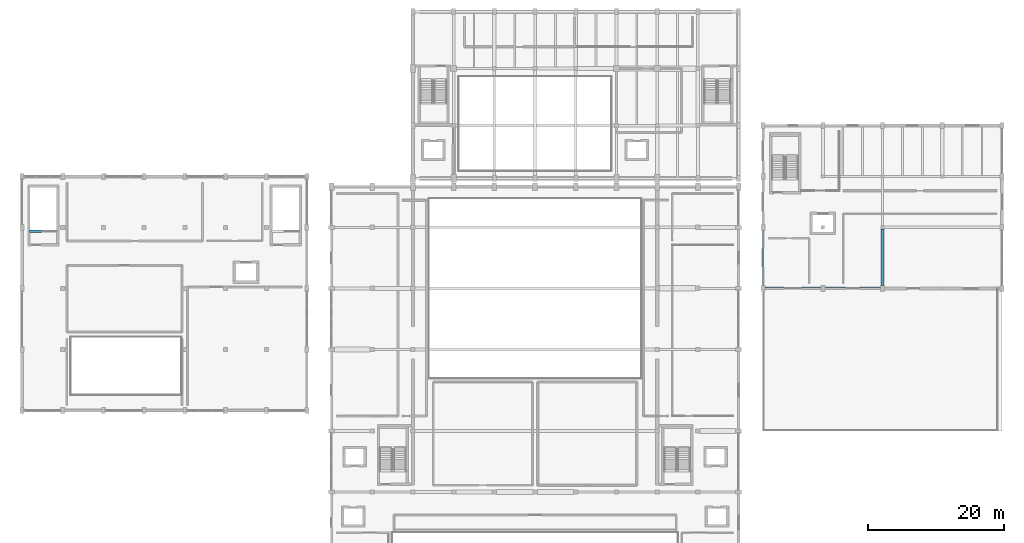
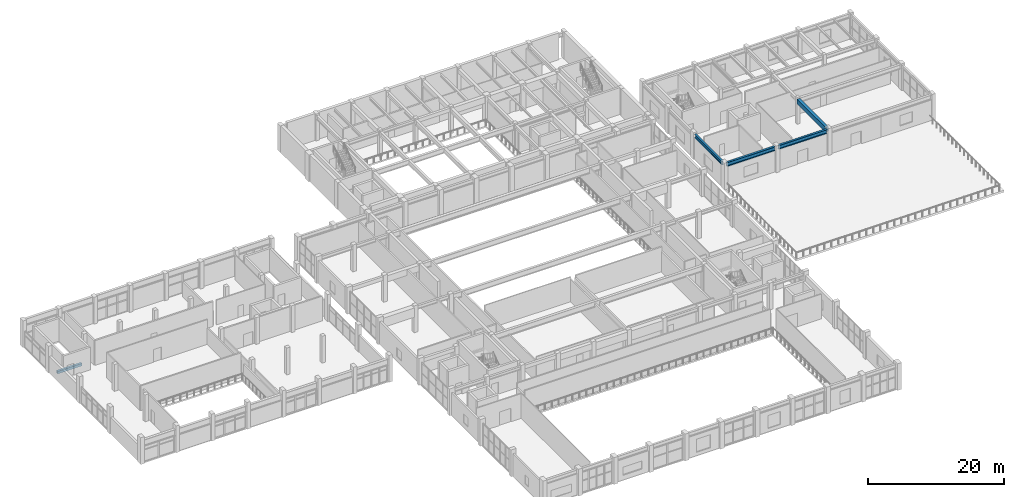
# One storey, part 21 of 62: 5 beams.
"""IFC4 building model written with IfcOpenShell, lengths in metres."""

from ifc_helpers import new_model, si_unit, direction, frame, origin, origin_2d, place, context, subcontext, project, spatial, rectangle, i_section, extrude, material, material_profile, profile_set, type_object, element, save


model = new_model("IFC4")

# Units and contexts
model_context = context("Model", 3, precision=1e-05, world=origin(), true_north=direction((0.0, 1.0)))
body_context = subcontext(model_context, "Body", "Model", "MODEL_VIEW")
ifc_project = project(units=[si_unit("LENGTHUNIT", "METRE"), si_unit("AREAUNIT", "SQUARE_METRE"), si_unit("VOLUMEUNIT", "CUBIC_METRE"), si_unit("PLANEANGLEUNIT", "RADIAN"), si_unit("MASSUNIT", "GRAM", prefix="KILO")], contexts=[model_context])

# Site, building, storey
site_placement = place(None, origin())
site = spatial("IfcSite", under=ifc_project, at=site_placement, CompositionType="ELEMENT")
building_placement = place(site_placement, origin())
building = spatial("IfcBuilding", under=site, at=building_placement, Name="Vaelkrest Opera House", CompositionType="ELEMENT")
storey_placement = place(building_placement, frame((0.0, 0.0, 19.800048828125)))
storey = spatial("IfcBuildingStorey", under=building, at=storey_placement, Name="L04", CompositionType="ELEMENT", Elevation=19.800048828125)

# Beams
ifc_material_1 = material(Name="Concrete C50/60", Category="concrete")
ifc_material_profile_1 = material_profile(ifc_material_1, rectangle(XDim=0.5, YDim=0.85009765625, at=origin_2d()), Name="RCB500X850")
ifc_profile_set_1 = profile_set([ifc_material_profile_1], Name="Concrete C50/60")
beam_type_1 = type_object("IfcBeamType", Name="B03", PredefinedType="BEAM", material=ifc_profile_set_1)
beam_1_placement = place(storey_placement, frame((51.199951171875, 1.64990234375, 4.079833984375), z_axis=(0.0, 1.0, 0.0), x_axis=(-1.0, 0.0, 0.0)))
element("IfcBeam", 1, at=beam_1_placement, inside=storey, type_object=beam_type_1, Name="Beam BM-V4-L04-2420", PredefinedType="BEAM", context=body_context, shape_type="SweptSolid", body=[
    extrude(rectangle(XDim=0.5, YDim=0.85009765625, at=origin_2d()), origin(), (0.0, 0.0, 1.0), 8.300048828125),
])
ifc_material_profile_2 = material_profile(ifc_material_1, rectangle(XDim=0.35009765625, YDim=0.449951171875, at=origin_2d()), Name="RCB350X450")
ifc_profile_set_2 = profile_set([ifc_material_profile_2], Name="Concrete C50/60")
beam_type_2 = type_object("IfcBeamType", Name="LN01", PredefinedType="LINTEL", material=ifc_profile_set_2)
beam_2_placement = place(storey_placement, frame((-74.52001953125, 9.64990234375, -0.22509765625), z_axis=(1.0, 0.0, 0.0), x_axis=(0.0, 1.0, 0.0)))
element("IfcBeam", 2, at=beam_2_placement, inside=storey, type_object=beam_type_2, Name="Stairwell trimmer beam ST07 L04", PredefinedType="LINTEL", context=body_context, shape_type="SweptSolid", body=[
    extrude(rectangle(XDim=0.35009765625, YDim=0.449951171875, at=origin_2d()), origin(), (0.0, 0.0, 1.0), 4.14013671875),
])
ifc_material_2 = material(Name="Steel A992 Gr50", Category="steel")
ifc_material_profile_3 = material_profile(ifc_material_2, i_section(OverallWidth=0.323974609375, OverallDepth=0.611083984375, WebThickness=0.0126953125, FlangeThickness=0.01904296875, at=origin_2d()), Name="W24X104")
ifc_profile_set_3 = profile_set([ifc_material_profile_3], Name="Steel A992 Gr50")
beam_type_3 = type_object("IfcBeamType", Name="SP01", PredefinedType="SPANDREL", material=ifc_profile_set_3)
beam_3_placement = place(storey_placement, frame((33.60009765625, 1.64990234375, 4.199462890625), z_axis=(0.0, 1.0, 0.0), x_axis=(-1.0, 0.0, 0.0)))
element("IfcBeam", 3, at=beam_3_placement, inside=storey, type_object=beam_type_3, Name="Beam BM-V4-L04-2416", PredefinedType="SPANDREL", context=body_context, shape_type="SweptSolid", body=[
    extrude(i_section(OverallWidth=0.323974609375, OverallDepth=0.611083984375, WebThickness=0.0126953125, FlangeThickness=0.01904296875, at=origin_2d()), origin(), (0.0, 0.0, 1.0), 8.10009765625),
])
ifc_material_profile_4 = material_profile(ifc_material_2, i_section(OverallWidth=0.35498046875, OverallDepth=0.695068359375, WebThickness=0.015380859375, FlangeThickness=0.02490234375, at=origin_2d()), Name="W27X146")
ifc_profile_set_4 = profile_set([ifc_material_profile_4], Name="Steel A992 Gr50")
beam_type_4 = type_object("IfcBeamType", Name="SP02", PredefinedType="SPANDREL", material=ifc_profile_set_4)
beam_4_placement = place(storey_placement, frame((33.89990234375, 1.199951171875, 4.157470703125), z_axis=(1.0, 0.0, 0.0), x_axis=(0.0, 1.0, 0.0)))
element("IfcBeam", 4, at=beam_4_placement, inside=storey, type_object=beam_type_4, Name="Beam BM-V4-L04-2405", PredefinedType="SPANDREL", context=body_context, shape_type="SweptSolid", body=[
    extrude(i_section(OverallWidth=0.35498046875, OverallDepth=0.695068359375, WebThickness=0.015380859375, FlangeThickness=0.02490234375, at=origin_2d()), origin(), (0.0, 0.0, 1.0), 8.2001953125),
])
beam_5_placement = place(storey_placement, frame((42.699951171875, 1.199951171875, 4.157470703125), z_axis=(1.0, 0.0, 0.0), x_axis=(0.0, 1.0, 0.0)))
element("IfcBeam", 5, at=beam_5_placement, inside=storey, type_object=beam_type_4, Name="Beam BM-V4-L04-2406", PredefinedType="SPANDREL", context=body_context, shape_type="SweptSolid", body=[
    extrude(i_section(OverallWidth=0.35498046875, OverallDepth=0.695068359375, WebThickness=0.015380859375, FlangeThickness=0.02490234375, at=origin_2d()), origin(), (0.0, 0.0, 1.0), 8.199951171875),
])

save(model, "model.ifc")
